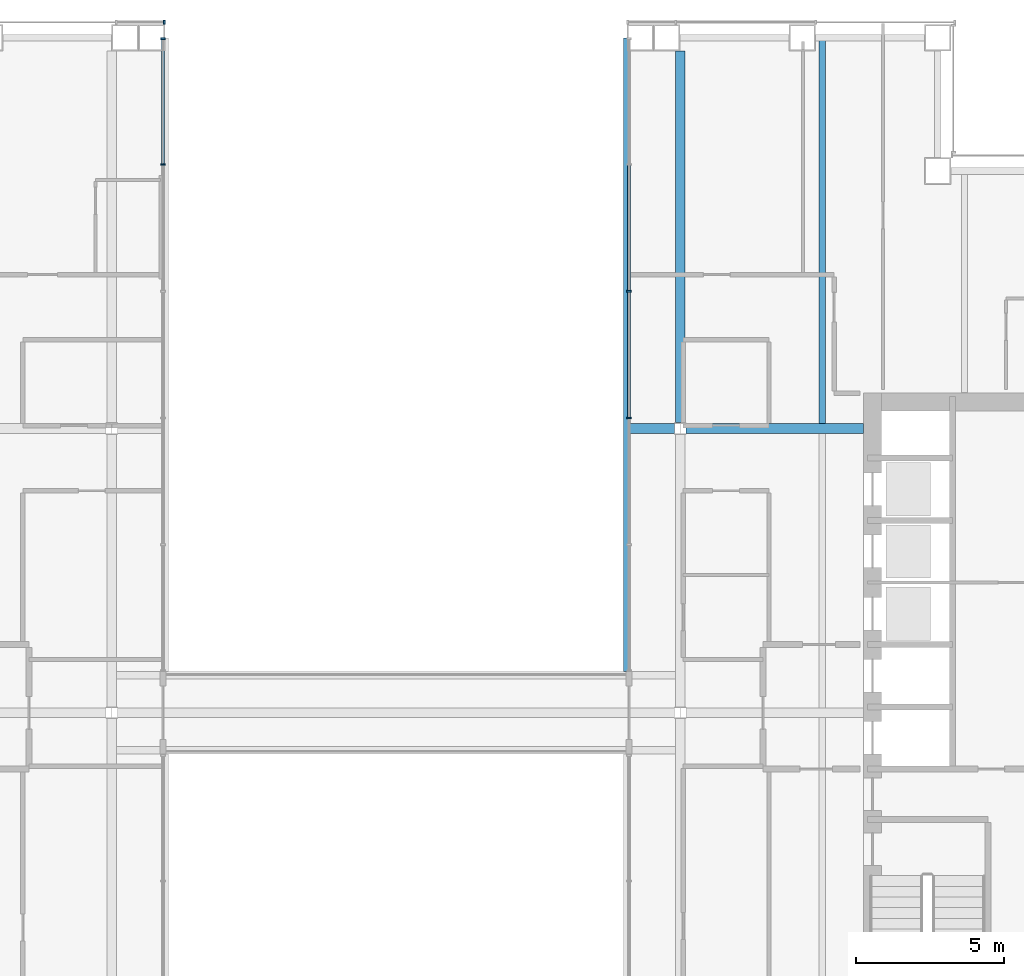
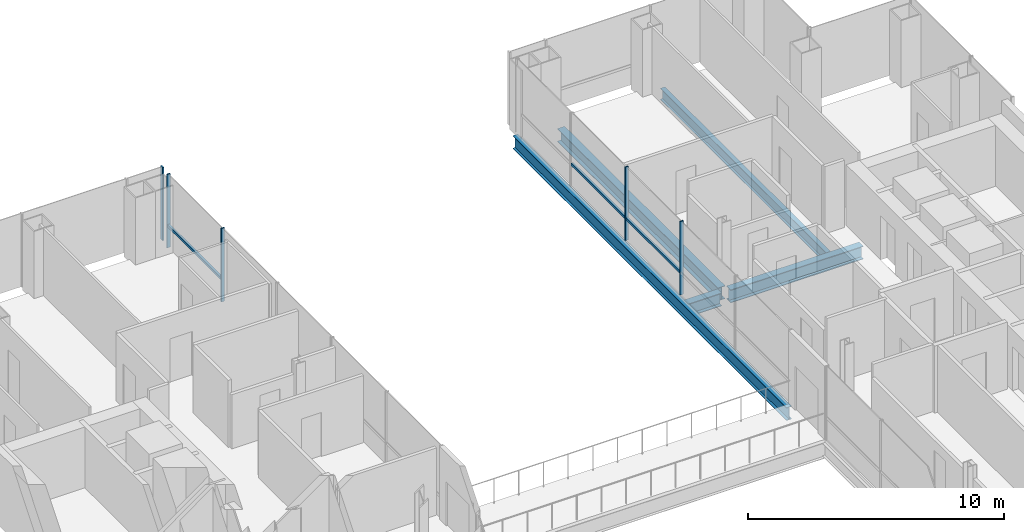
# One storey, part 8 of 17: 8 members, 5 beams, 3 elements without a shape of their own.
"""IFC4 building model written with IfcOpenShell, lengths in metres."""

from ifc_helpers import new_model, si_unit, direction, frame, origin, origin_2d, place, context, subcontext, project, spatial, rectangle, i_section, extrude, material, material_profile, profile_set, type_object, element, aggregate, save


model = new_model("IFC4")

# Units and contexts
model_context = context("Model", 3, precision=1e-05, world=origin(), true_north=direction((0.0, 1.0)))
body_context = subcontext(model_context, "Body", "Model", "MODEL_VIEW")
ifc_project = project(units=[si_unit("LENGTHUNIT", "METRE"), si_unit("AREAUNIT", "SQUARE_METRE"), si_unit("VOLUMEUNIT", "CUBIC_METRE"), si_unit("PLANEANGLEUNIT", "RADIAN"), si_unit("MASSUNIT", "GRAM", prefix="KILO")], contexts=[model_context])

# Site, building, storey
site_placement = place(None, origin())
site = spatial("IfcSite", under=ifc_project, at=site_placement, CompositionType="ELEMENT")
building_placement = place(site_placement, origin())
building = spatial("IfcBuilding", under=site, at=building_placement, Name="Cobrizo Arcos Hotel Tower", CompositionType="ELEMENT")
storey_placement = place(building_placement, frame((0.0, 0.0, 134.5)))
storey = spatial("IfcBuildingStorey", under=building, at=storey_placement, Name="L34", CompositionType="ELEMENT", Elevation=134.5)

# Curtain wall, member
ifc_material_1 = material(Name="Aluminium 6063-T6 anodised bronze", Category="aluminium")
curtain_wall_type_1 = type_object("IfcCurtainWallType", Name="CW-A guest facade", PredefinedType="NOTDEFINED", material=ifc_material_1)
curtain_wall_1_placement = place(storey_placement, origin())
curtain_wall_1 = element("IfcCurtainWall", 1, at=curtain_wall_1_placement, inside=storey, type_object=curtain_wall_type_1, Name="CW-A L34 N face", PredefinedType="NOTDEFINED")
ifc_material_profile_1 = material_profile(ifc_material_1, rectangle(XDim=0.14990234375, YDim=0.06005859375, at=origin_2d()), Name="CW-A mullion 150x60")
ifc_profile_set_1 = profile_set([ifc_material_profile_1], Name="Aluminium 6063-T6 anodised bronze")
member_type_1 = type_object("IfcMemberType", Name="CW-A mullion 150x60", PredefinedType="MULLION", material=ifc_profile_set_1)
member_1_placement = place(storey_placement, frame((-7.830078125, 23.324951171875, 0.0), z_axis=(0.0, 0.0, 1.0), x_axis=(0.0, 1.0, 0.0)))
member_1 = element("IfcMember", 2, at=member_1_placement, type_object=member_type_1, Name="CW-A mullion 1", PredefinedType="MULLION", context=body_context, shape_type="SweptSolid", body=[
    extrude(rectangle(XDim=0.14990234375, YDim=0.06005859375, at=origin_2d()), origin(), (0.0, 0.0, 1.0), 3.5),
])
aggregate(curtain_wall_1, [member_1])

# Curtain wall, members
curtain_wall_type_2 = type_object("IfcCurtainWallType", Name="CW-F void screen", PredefinedType="NOTDEFINED", material=ifc_material_1)
curtain_wall_2_placement = place(storey_placement, origin())
curtain_wall_2 = element("IfcCurtainWall", 3, at=curtain_wall_2_placement, inside=storey, type_object=curtain_wall_type_2, Name="CW-F L34 void screen B", PredefinedType="NOTDEFINED")
ifc_material_profile_2 = material_profile(ifc_material_1, rectangle(XDim=0.14990234375, YDim=0.06005859375, at=origin_2d()), Name="CW-F mullion 150x60")
ifc_profile_set_2 = profile_set([ifc_material_profile_2], Name="Aluminium 6063-T6 anodised bronze")
member_type_2 = type_object("IfcMemberType", Name="CW-F mullion 150x60", PredefinedType="MULLION", material=ifc_profile_set_2)
member_2_placement = place(storey_placement, frame((7.875, 9.9599609375, 0.0), z_axis=(0.0, 0.0, 1.0), x_axis=(1.0, 0.0, 0.0)))
member_2 = element("IfcMember", 4, at=member_2_placement, type_object=member_type_2, Name="CW-F mullion 3", PredefinedType="MULLION", context=body_context, shape_type="SweptSolid", body=[
    extrude(rectangle(XDim=0.14990234375, YDim=0.06005859375, at=origin_2d()), origin(), (0.0, 0.0, 1.0), 3.5),
])
member_3_placement = place(storey_placement, frame((7.875, 14.239990234375, 0.0), z_axis=(0.0, 0.0, 1.0), x_axis=(1.0, 0.0, 0.0)))
member_3 = element("IfcMember", 5, at=member_3_placement, type_object=member_type_2, Name="CW-F mullion 4", PredefinedType="MULLION", context=body_context, shape_type="SweptSolid", body=[
    extrude(rectangle(XDim=0.14990234375, YDim=0.06005859375, at=origin_2d()), origin(), (0.0, 0.0, 1.0), 3.5),
])

curtain_wall_3_placement = place(storey_placement, origin())
curtain_wall_3 = element("IfcCurtainWall", 6, at=curtain_wall_3_placement, inside=storey, type_object=curtain_wall_type_2, Name="CW-F L34 void screen B", PredefinedType="NOTDEFINED")
member_4_placement = place(storey_placement, frame((-7.875, 22.77001953125, 0.0), z_axis=(0.0, 0.0, 1.0), x_axis=(-1.0, 0.0, 0.0)))
member_4 = element("IfcMember", 7, at=member_4_placement, type_object=member_type_2, Name="CW-F mullion 1", PredefinedType="MULLION", context=body_context, shape_type="SweptSolid", body=[
    extrude(rectangle(XDim=0.14990234375, YDim=0.06005859375, at=origin_2d()), origin(), (0.0, 0.0, 1.0), 3.5),
])
member_5_placement = place(storey_placement, frame((-7.875, 18.52001953125, 0.0), z_axis=(0.0, 0.0, 1.0), x_axis=(-1.0, 0.0, 0.0)))
member_5 = element("IfcMember", 8, at=member_5_placement, type_object=member_type_2, Name="CW-F mullion 2", PredefinedType="MULLION", context=body_context, shape_type="SweptSolid", body=[
    extrude(rectangle(XDim=0.14990234375, YDim=0.06005859375, at=origin_2d()), origin(), (0.0, 0.0, 1.0), 3.5),
])

# Member
ifc_material_profile_3 = material_profile(ifc_material_1, rectangle(XDim=0.10009765625, YDim=0.1201171875, at=origin_2d()), Name="CW-F transom 120x100")
ifc_profile_set_3 = profile_set([ifc_material_profile_3], Name="Aluminium 6063-T6 anodised bronze")
member_type_3 = type_object("IfcMemberType", Name="CW-F transom 120x100", PredefinedType="USERDEFINED", material=ifc_profile_set_3)
member_6_placement = place(storey_placement, frame((7.875, 9.989990234375, 1.050048828125), z_axis=(0.0, 1.0, 0.0), x_axis=(-1.0, 0.0, 0.0)))
member_6 = element("IfcMember", 9, at=member_6_placement, type_object=member_type_3, Name="CW-F transom 2673", ObjectType="TRANSOM", PredefinedType="USERDEFINED", context=body_context, shape_type="SweptSolid", body=[
    extrude(rectangle(XDim=0.10009765625, YDim=0.1201171875, at=origin_2d()), origin(), (0.0, 0.0, 1.0), 4.219970703125),
])

member_7_placement = place(storey_placement, frame((7.875, 14.27001953125, 1.050048828125), z_axis=(0.0, 1.0, 0.0), x_axis=(-1.0, 0.0, 0.0)))
member_7 = element("IfcMember", 10, at=member_7_placement, type_object=member_type_3, Name="CW-F transom 2674", ObjectType="TRANSOM", PredefinedType="USERDEFINED", context=body_context, shape_type="SweptSolid", body=[
    extrude(rectangle(XDim=0.10009765625, YDim=0.1201171875, at=origin_2d()), origin(), (0.0, 0.0, 1.0), 4.219970703125),
])

aggregate(curtain_wall_2, [member_2, member_3, member_6, member_7])

member_8_placement = place(storey_placement, frame((-7.875, 22.739990234375, 1.050048828125), z_axis=(0.0, -1.0, 0.0), x_axis=(1.0, 0.0, 0.0)))
member_8 = element("IfcMember", 11, at=member_8_placement, type_object=member_type_3, Name="CW-F transom 2676", ObjectType="TRANSOM", PredefinedType="USERDEFINED", context=body_context, shape_type="SweptSolid", body=[
    extrude(rectangle(XDim=0.10009765625, YDim=0.1201171875, at=origin_2d()), origin(), (0.0, 0.0, 1.0), 4.18994140625),
])

aggregate(curtain_wall_3, [member_4, member_5, member_8])

# Beams
ifc_material_2 = material(Name="Steel ASTM A992 Grade 50", Category="steel")
ifc_material_profile_4 = material_profile(ifc_material_2, i_section(OverallWidth=0.209228515625, OverallDepth=0.533447265625, WebThickness=0.01025390625, FlangeThickness=0.015625, at=origin_2d()), Name="W21X62")
ifc_profile_set_4 = profile_set([ifc_material_profile_4], Name="Steel ASTM A992 Grade 50")
beam_type_1 = type_object("IfcBeamType", Name="W21X62 joist", PredefinedType="JOIST", material=ifc_profile_set_4)
beam_1_placement = place(storey_placement, frame((14.39990234375, 9.763916015625, -0.416748046875), z_axis=(0.0, 1.0, 0.0), x_axis=(-1.0, 0.0, 0.0)))
element("IfcBeam", 12, at=beam_1_placement, inside=storey, type_object=beam_type_1, Name="Floor joist J1, L34, no. 010", PredefinedType="JOIST", context=body_context, shape_type="SweptSolid", body=[
    extrude(i_section(OverallWidth=0.209228515625, OverallDepth=0.533447265625, WebThickness=0.01025390625, FlangeThickness=0.015625, at=origin_2d()), origin(), (0.0, 0.0, 1.0), 12.946044921875),
])
ifc_material_profile_5 = material_profile(ifc_material_2, i_section(OverallWidth=0.32763671875, OverallDepth=0.622314453125, WebThickness=0.015380859375, FlangeThickness=0.0244140625, at=origin_2d()), Name="W24X131")
ifc_profile_set_5 = profile_set([ifc_material_profile_5], Name="Steel ASTM A992 Grade 50")
beam_type_2 = type_object("IfcBeamType", Name="W24X131 girder", PredefinedType="BEAM", material=ifc_profile_set_5)
beam_2_placement = place(storey_placement, frame((7.889892578125, 9.60009765625, -0.461181640625), z_axis=(1.0, 0.0, 0.0), x_axis=(0.0, 1.0, 0.0)))
element("IfcBeam", 13, at=beam_2_placement, inside=storey, type_object=beam_type_2, Name="Floor girder G1, L34, no. 010", PredefinedType="BEAM", context=body_context, shape_type="SweptSolid", body=[
    extrude(i_section(OverallWidth=0.32763671875, OverallDepth=0.622314453125, WebThickness=0.015380859375, FlangeThickness=0.0244140625, at=origin_2d()), origin(), (0.0, 0.0, 1.0), 1.5107421875),
])
beam_3_placement = place(storey_placement, frame((9.79931640625, 9.60009765625, -0.461181640625), z_axis=(1.0, 0.0, 0.0), x_axis=(0.0, 1.0, 0.0)))
element("IfcBeam", 14, at=beam_3_placement, inside=storey, type_object=beam_type_2, Name="Floor girder G1, L34, no. 011", PredefinedType="BEAM", context=body_context, shape_type="SweptSolid", body=[
    extrude(i_section(OverallWidth=0.32763671875, OverallDepth=0.622314453125, WebThickness=0.015380859375, FlangeThickness=0.0244140625, at=origin_2d()), origin(), (0.0, 0.0, 1.0), 5.99072265625),
])
beam_4_placement = place(storey_placement, frame((9.60009765625, 9.79931640625, -0.461181640625), z_axis=(0.0, 1.0, 0.0), x_axis=(-1.0, 0.0, 0.0)))
element("IfcBeam", 15, at=beam_4_placement, inside=storey, type_object=beam_type_2, Name="Floor girder G1, L34, no. 019", PredefinedType="BEAM", context=body_context, shape_type="SweptSolid", body=[
    extrude(i_section(OverallWidth=0.32763671875, OverallDepth=0.622314453125, WebThickness=0.015380859375, FlangeThickness=0.0244140625, at=origin_2d()), origin(), (0.0, 0.0, 1.0), 12.55078125),
])
ifc_material_profile_6 = material_profile(ifc_material_2, i_section(OverallWidth=0.23046875, OverallDepth=0.6171875, WebThickness=0.01318359375, FlangeThickness=0.022216796875, at=origin_2d()), Name="W24X94")
ifc_profile_set_6 = profile_set([ifc_material_profile_6], Name="Steel ASTM A992 Grade 50")
beam_type_3 = type_object("IfcBeamType", Name="W24X94 spandrel", PredefinedType="SPANDREL", material=ifc_profile_set_6)
beam_5_placement = place(storey_placement, frame((7.800048828125, 1.39990234375, -0.45849609375), z_axis=(0.0, 1.0, 0.0), x_axis=(-1.0, 0.0, 0.0)))
element("IfcBeam", 16, at=beam_5_placement, inside=storey, type_object=beam_type_3, Name="Spandrel beam W24X94, L34, no. 025", PredefinedType="SPANDREL", context=body_context, shape_type="SweptSolid", body=[
    extrude(i_section(OverallWidth=0.23046875, OverallDepth=0.6171875, WebThickness=0.01318359375, FlangeThickness=0.022216796875, at=origin_2d()), origin(), (0.0, 0.0, 1.0), 21.400146484375),
])

save(model, "model.ifc")
